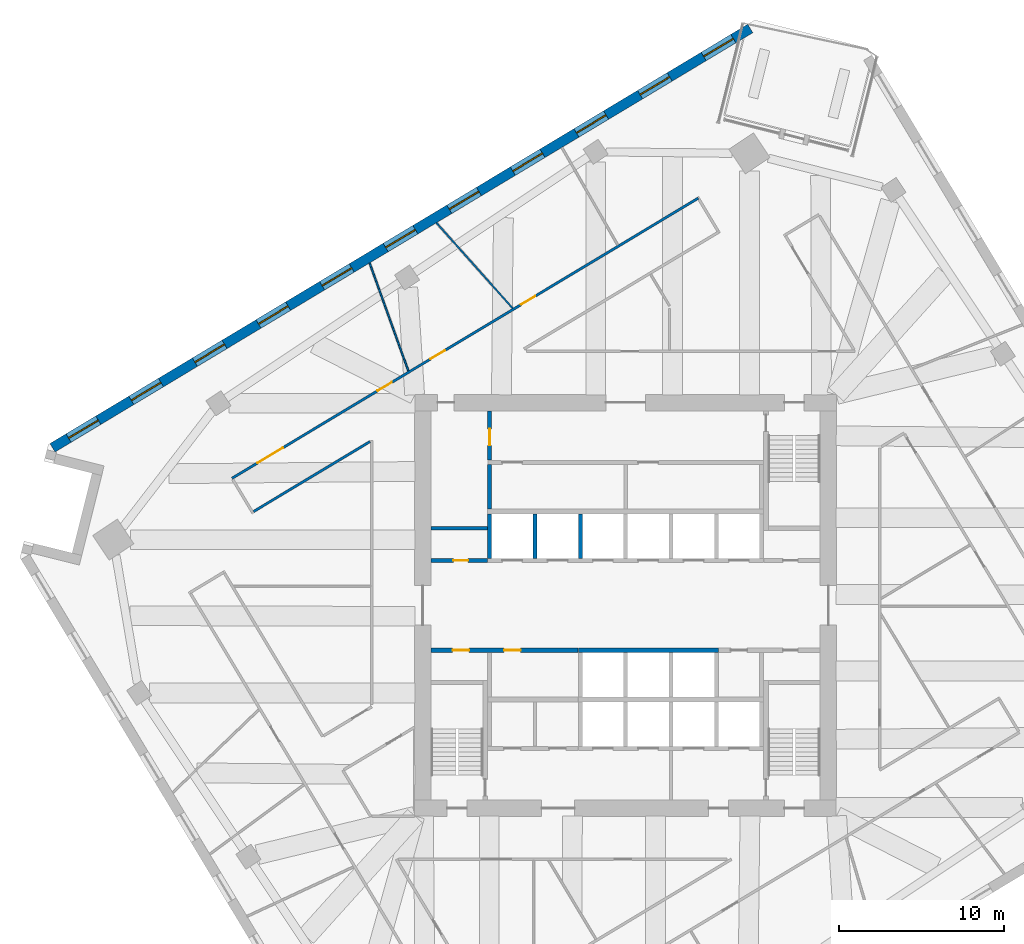
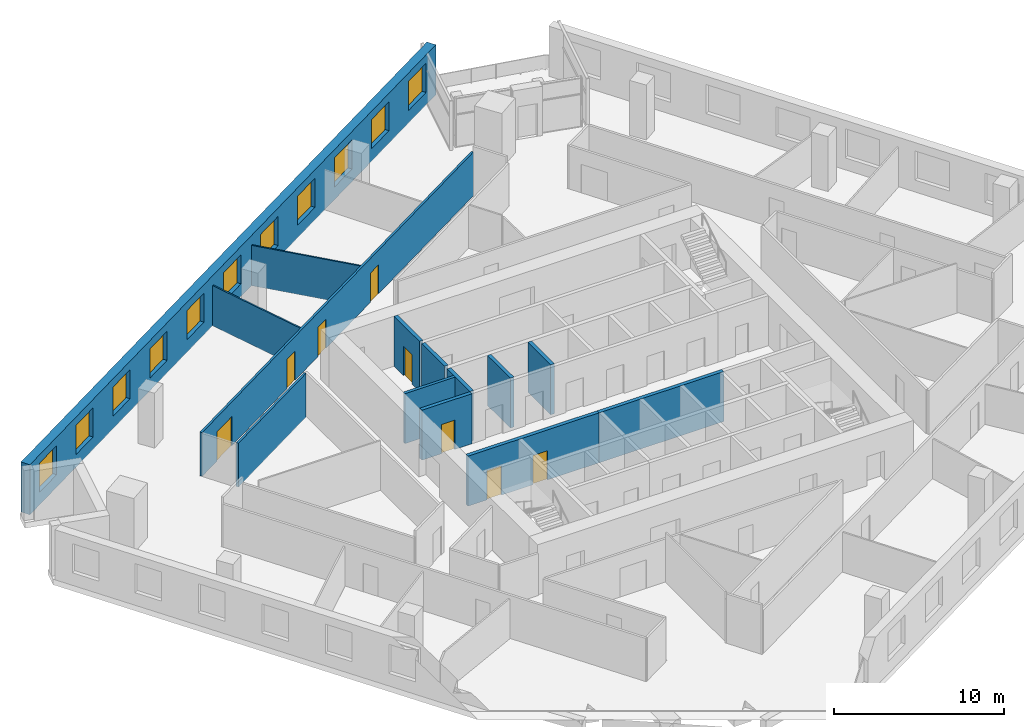
# One storey, part 8 of 14: 14 walls, 11 windows, 8 doors, 19 openings.
"""IFC4 building model written with IfcOpenShell, lengths in metres."""

from ifc_helpers import new_model, si_unit, direction, frame, frame_2d, origin, place, context, subcontext, project, spatial, rectangle, extrude, material, layer, layer_set, type_object, element, fill, save


model = new_model("IFC4")

# Units and contexts
model_context = context("Model", 3, precision=1e-05, world=origin(), true_north=direction((0.0, 1.0)))
body_context = subcontext(model_context, "Body", "Model", "MODEL_VIEW")
ifc_project = project(units=[si_unit("LENGTHUNIT", "METRE"), si_unit("AREAUNIT", "SQUARE_METRE"), si_unit("VOLUMEUNIT", "CUBIC_METRE"), si_unit("PLANEANGLEUNIT", "RADIAN"), si_unit("MASSUNIT", "GRAM", prefix="KILO")], contexts=[model_context])

# Site, building, storey
site_placement = place(None, origin())
site = spatial("IfcSite", under=ifc_project, at=site_placement, CompositionType="ELEMENT")
building_placement = place(site_placement, origin())
building = spatial("IfcBuilding", under=site, at=building_placement, Name="Dilmun Exchange Tower", CompositionType="ELEMENT")
storey_placement = place(building_placement, frame((0.0, 0.0, 151.699951171875)))
storey = spatial("IfcBuildingStorey", under=building, at=storey_placement, Name="L35", CompositionType="ELEMENT", Elevation=151.699951171875)

# Wall
ifc_material_1 = material(Name="Concrete C40/50", Category="concrete")
ifc_layer_1 = layer(ifc_material_1, 0.199951171875)
ifc_layer_set_1 = layer_set([ifc_layer_1], Name="Concrete C40/50")
wall_type_1 = type_object("IfcWallType", Name="Core partition wall 200", PredefinedType="PARTITIONING", material=ifc_layer_set_1)
wall_1_placement = place(storey_placement, frame((-11.794921875, 4.675048828125, 0.0), z_axis=(0.0, 0.0, 1.0), x_axis=(1.0, 0.0, 0.0)))
element("IfcWall", 1, at=wall_1_placement, inside=storey, type_object=wall_type_1, Name="L35 core partition wall 12", PredefinedType="PARTITIONING", context=body_context, shape_type="SweptSolid", body=[
    extrude(rectangle(XDim=3.4150390625, YDim=0.199951171875, at=frame_2d((1.70751953125, 0.0))), origin(), (0.0, 0.0, 1.0), 3.60009765625),
])

# Wall, openings, doors
ifc_layer_2 = layer(ifc_material_1, 0.25)
ifc_layer_set_2 = layer_set([ifc_layer_2], Name="Concrete C40/50")
wall_type_2 = type_object("IfcWallType", Name="Core partition wall 250", PredefinedType="PARTITIONING", material=ifc_layer_set_2)
wall_2_placement = place(storey_placement, frame((-11.794921875, -2.72509765625, 0.0), z_axis=(0.0, 0.0, 1.0), x_axis=(1.0, 0.0, 0.0)))
wall_2 = element("IfcWall", 2, at=wall_2_placement, inside=storey, type_object=wall_type_2, Name="L35 core partition wall 08", PredefinedType="PARTITIONING", context=body_context, shape_type="SweptSolid", body=[
    extrude(rectangle(XDim=8.9150390625, YDim=0.25, at=frame_2d((4.45751953125, 0.0))), origin(), (0.0, 0.0, 1.0), 3.60009765625),
])
opening_1_placement = place(wall_2_placement, frame((1.294921875, 0.0, 0.0)))
opening_1 = element("IfcOpeningElement", 3, at=opening_1_placement, cuts=wall_2, Name="Opening CD4", PredefinedType="OPENING", context=body_context, shape_type="SweptSolid", body=[
    extrude(rectangle(XDim=1.0, YDim=2.10009765625, at=frame_2d((0.5, 1.050048828125))), frame((0.0, 0.135009765625, 0.0), z_axis=(0.0, -1.0, 0.0), x_axis=(1.0, 0.0, 0.0)), (0.0, 0.0, 1.0), 0.27001953125),
])
opening_2_placement = place(wall_2_placement, frame((4.419921875, 0.0, 0.0)))
opening_2 = element("IfcOpeningElement", 4, at=opening_2_placement, cuts=wall_2, Name="Opening CD4", PredefinedType="OPENING", context=body_context, shape_type="SweptSolid", body=[
    extrude(rectangle(XDim=1.0, YDim=2.10009765625, at=frame_2d((0.5, 1.050048828125))), frame((0.0, 0.135009765625, 0.0), z_axis=(0.0, -1.0, 0.0), x_axis=(1.0, 0.0, 0.0)), (0.0, 0.0, 1.0), 0.27001953125),
])
ifc_material_2 = material(Name="Fire-rated steel door set", Category="steel")
door_type_1 = type_object("IfcDoorType", Name="Core room door 1000x2100", OperationType="SINGLE_SWING_LEFT", PredefinedType="DOOR", material=ifc_material_2)
door_1_placement = place(opening_1_placement, origin())
door_1 = element("IfcDoor", 5, at=door_1_placement, inside=storey, type_object=door_type_1, Name="L35 door Accessible WC", OperationType="SINGLE_SWING_RIGHT", OverallHeight=2.10009765625, OverallWidth=1.0, PredefinedType="DOOR", context=body_context, shape_type="SweptSolid", body=[
    extrude(rectangle(XDim=1.0, YDim=2.10009765625, at=frame_2d((0.5, 1.050048828125))), frame((0.0, 0.02490234375, 0.0), z_axis=(0.0, -1.0, 0.0), x_axis=(1.0, 0.0, 0.0)), (0.0, 0.0, 1.0), 0.050048828125),
])
fill(opening_1, door_1)
door_2_placement = place(opening_2_placement, origin())
door_2 = element("IfcDoor", 6, at=door_2_placement, inside=storey, type_object=door_type_1, Name="L35 door Switch room", OperationType="SINGLE_SWING_RIGHT", OverallHeight=2.10009765625, OverallWidth=1.0, PredefinedType="DOOR", context=body_context, shape_type="SweptSolid", body=[
    extrude(rectangle(XDim=1.0, YDim=2.10009765625, at=frame_2d((0.5, 1.050048828125))), frame((0.0, 0.02490234375, 0.0), z_axis=(0.0, -1.0, 0.0), x_axis=(1.0, 0.0, 0.0)), (0.0, 0.0, 1.0), 0.050048828125),
])
fill(opening_2, door_2)

# Wall, opening, door
wall_3_placement = place(storey_placement, frame((-11.794921875, 2.72509765625, 0.0), z_axis=(0.0, 0.0, 1.0), x_axis=(1.0, 0.0, 0.0)))
wall_3 = element("IfcWall", 7, at=wall_3_placement, inside=storey, type_object=wall_type_2, Name="L35 core partition wall 10", PredefinedType="PARTITIONING", context=body_context, shape_type="SweptSolid", body=[
    extrude(rectangle(XDim=3.4150390625, YDim=0.25, at=frame_2d((1.70751953125, 0.0))), origin(), (0.0, 0.0, 1.0), 3.60009765625),
])
opening_3_placement = place(wall_3_placement, frame((1.344970703125, 0.0, 0.0)))
opening_3 = element("IfcOpeningElement", 8, at=opening_3_placement, cuts=wall_3, Name="Opening CD6", PredefinedType="OPENING", context=body_context, shape_type="SweptSolid", body=[
    extrude(rectangle(XDim=0.89990234375, YDim=2.10009765625, at=frame_2d((0.449951171875, 1.050048828125))), frame((0.0, 0.135009765625, 0.0), z_axis=(0.0, -1.0, 0.0), x_axis=(1.0, 0.0, 0.0)), (0.0, 0.0, 1.0), 0.27001953125),
])
door_type_2 = type_object("IfcDoorType", Name="Core room door 900x2100", OperationType="SINGLE_SWING_LEFT", PredefinedType="DOOR", material=ifc_material_2)
door_3_placement = place(opening_3_placement, origin())
door_3 = element("IfcDoor", 9, at=door_3_placement, inside=storey, type_object=door_type_2, Name="L35 door Plumbing riser", OperationType="SINGLE_SWING_RIGHT", OverallHeight=2.10009765625, OverallWidth=0.89990234375, PredefinedType="DOOR", context=body_context, shape_type="SweptSolid", body=[
    extrude(rectangle(XDim=0.89990234375, YDim=2.10009765625, at=frame_2d((0.449951171875, 1.050048828125))), frame((0.0, 0.02490234375, 0.0), z_axis=(0.0, -1.0, 0.0), x_axis=(1.0, 0.0, 0.0)), (0.0, 0.0, 1.0), 0.050048828125),
])
fill(opening_3, door_3)

# Wall
wall_4_placement = place(storey_placement, frame((-8.25, 5.85498046875, 0.0), z_axis=(0.0, 0.0, 1.0), x_axis=(0.0, 1.0, 0.0)))
element("IfcWall", 10, at=wall_4_placement, inside=storey, type_object=wall_type_2, Name="L35 core partition wall 13", PredefinedType="PARTITIONING", context=body_context, shape_type="SweptSolid", body=[
    extrude(rectangle(XDim=2.68994140625, YDim=0.25, at=frame_2d((1.344970703125, 0.0))), origin(), (0.0, 0.0, 1.0), 3.60009765625),
])

# Wall, opening, door
wall_5_placement = place(storey_placement, frame((-8.25, 8.804931640625, 0.0), z_axis=(0.0, 0.0, 1.0), x_axis=(0.0, 1.0, 0.0)))
wall_5 = element("IfcWall", 11, at=wall_5_placement, inside=storey, type_object=wall_type_2, Name="L35 core partition wall 17", PredefinedType="PARTITIONING", context=body_context, shape_type="SweptSolid", body=[
    extrude(rectangle(XDim=2.989990234375, YDim=0.25, at=frame_2d((1.4951171875, 0.0))), origin(), (0.0, 0.0, 1.0), 3.60009765625),
])
opening_4_placement = place(wall_5_placement, frame((0.89501953125, 0.0, 0.0)))
opening_4 = element("IfcOpeningElement", 12, at=opening_4_placement, cuts=wall_5, Name="Opening CD4", PredefinedType="OPENING", context=body_context, shape_type="SweptSolid", body=[
    extrude(rectangle(XDim=1.0, YDim=2.10009765625, at=frame_2d((0.5, 1.050048828125))), frame((0.0, 0.135009765625, 0.0), z_axis=(0.0, -1.0, 0.0), x_axis=(1.0, 0.0, 0.0)), (0.0, 0.0, 1.0), 0.27001953125),
])
door_4_placement = place(opening_4_placement, origin())
door_4 = element("IfcDoor", 13, at=door_4_placement, inside=storey, type_object=door_type_1, Name="L35 door Building services room", OperationType="SINGLE_SWING_RIGHT", OverallHeight=2.10009765625, OverallWidth=1.0, PredefinedType="DOOR", context=body_context, shape_type="SweptSolid", body=[
    extrude(rectangle(XDim=1.0, YDim=2.10009765625, at=frame_2d((0.5, 1.050048828125))), frame((0.0, 0.02490234375, 0.0), z_axis=(0.0, -1.0, 0.0), x_axis=(1.0, 0.0, 0.0)), (0.0, 0.0, 1.0), 0.050048828125),
])
fill(opening_4, door_4)

# Wall, openings, doors
ifc_material_3 = material(Name="Corridor wall 150")
ifc_layer_3 = layer(ifc_material_3, 0.14990234375)
ifc_layer_set_3 = layer_set([ifc_layer_3], Name="Corridor wall 150")
wall_type_3 = type_object("IfcWallType", Name="Corridor wall 150", PredefinedType="PARTITIONING", material=ifc_layer_set_3)
wall_6_placement = place(storey_placement, frame((-23.8759765625, 7.70703125, 0.0), z_axis=(0.0, 0.0, 1.0), x_axis=(0.857167605318, 0.515037567943, 0.0)))
wall_6 = element("IfcWall", 14, at=wall_6_placement, inside=storey, type_object=wall_type_3, Name="Corridor wall", PredefinedType="PARTITIONING", context=body_context, shape_type="SweptSolid", body=[
    extrude(rectangle(XDim=32.99365234375, YDim=0.14990234375, at=frame_2d((16.496826171875, 0.0))), origin(), (0.0, 0.0, 1.0), 3.150146484375),
])
opening_5_placement = place(wall_6_placement, frame((1.800048828125, 0.0, 0.0)))
opening_5 = element("IfcOpeningElement", 15, at=opening_5_placement, cuts=wall_6, Name="Opening TF34-D01", PredefinedType="OPENING", context=body_context, shape_type="SweptSolid", body=[
    extrude(rectangle(XDim=1.800048828125, YDim=2.10009765625, at=frame_2d((0.89990234375, 1.050048828125))), frame((0.0, 0.0849609375, 0.0), z_axis=(0.0, -1.0, 0.0), x_axis=(1.0, 0.0, 0.0)), (0.0, 0.0, 1.0), 0.169921875),
])
opening_6_placement = place(wall_6_placement, frame((10.300048828125, 0.0, 0.0)))
opening_6 = element("IfcOpeningElement", 16, at=opening_6_placement, cuts=wall_6, Name="Opening TF34-D02", PredefinedType="OPENING", context=body_context, shape_type="SweptSolid", body=[
    extrude(rectangle(XDim=1.0, YDim=2.10009765625, at=frame_2d((0.5, 1.050048828125))), frame((0.0, 0.0849609375, 0.0), z_axis=(0.0, -1.0, 0.0), x_axis=(1.0, 0.0, 0.0)), (0.0, 0.0, 1.0), 0.169921875),
])
opening_7_placement = place(wall_6_placement, frame((14.05859375, 0.0, 0.0)))
opening_7 = element("IfcOpeningElement", 17, at=opening_7_placement, cuts=wall_6, Name="Opening TF34-D07", PredefinedType="OPENING", context=body_context, shape_type="SweptSolid", body=[
    extrude(rectangle(XDim=1.0, YDim=2.10009765625, at=frame_2d((0.5, 1.050048828125))), frame((0.0, 0.0849609375, 0.0), z_axis=(0.0, -1.0, 0.0), x_axis=(1.0, 0.0, 0.0)), (0.0, 0.0, 1.0), 0.169921875),
])
opening_8_placement = place(wall_6_placement, frame((20.458251953125, 0.0, 0.0)))
opening_8 = element("IfcOpeningElement", 18, at=opening_8_placement, cuts=wall_6, Name="Opening TF34-D10", PredefinedType="OPENING", context=body_context, shape_type="SweptSolid", body=[
    extrude(rectangle(XDim=1.0, YDim=2.10009765625, at=frame_2d((0.5, 1.050048828125))), frame((0.0, 0.0849609375, 0.0), z_axis=(0.0, -1.0, 0.0), x_axis=(1.0, 0.0, 0.0)), (0.0, 0.0, 1.0), 0.169921875),
])
ifc_material_4 = material(Name="Fire door 1000 x 2100")
door_type_3 = type_object("IfcDoorType", Name="Fire door 1000 x 2100", OperationType="NOTDEFINED", PredefinedType="DOOR", material=ifc_material_4)
door_5_placement = place(opening_6_placement, origin())
door_5 = element("IfcDoor", 19, at=door_5_placement, inside=storey, type_object=door_type_3, Name="Door TF34-D02", OperationType="SINGLE_SWING_RIGHT", OverallHeight=2.10009765625, OverallWidth=1.0, PredefinedType="DOOR", context=body_context, shape_type="SweptSolid", body=[
    extrude(rectangle(XDim=1.0, YDim=2.10009765625, at=frame_2d((0.5, 1.050048828125))), frame((0.0, 0.02490234375, 0.0), z_axis=(0.0, -1.0, 0.0), x_axis=(1.0, 0.0, 0.0)), (0.0, 0.0, 1.0), 0.050048828125),
])
fill(opening_6, door_5)
door_6_placement = place(opening_7_placement, origin())
door_6 = element("IfcDoor", 20, at=door_6_placement, inside=storey, type_object=door_type_3, Name="Door TF34-D07", OperationType="SINGLE_SWING_LEFT", OverallHeight=2.10009765625, OverallWidth=1.0, PredefinedType="DOOR", context=body_context, shape_type="SweptSolid", body=[
    extrude(rectangle(XDim=1.0, YDim=2.10009765625, at=frame_2d((0.5, 1.050048828125))), frame((0.0, 0.02490234375, 0.0), z_axis=(0.0, -1.0, 0.0), x_axis=(1.0, 0.0, 0.0)), (0.0, 0.0, 1.0), 0.050048828125),
])
fill(opening_7, door_6)
door_7_placement = place(opening_8_placement, origin())
door_7 = element("IfcDoor", 21, at=door_7_placement, inside=storey, type_object=door_type_3, Name="Door TF34-D10", OperationType="SINGLE_SWING_LEFT", OverallHeight=2.10009765625, OverallWidth=1.0, PredefinedType="DOOR", context=body_context, shape_type="SweptSolid", body=[
    extrude(rectangle(XDim=1.0, YDim=2.10009765625, at=frame_2d((0.5, 1.050048828125))), frame((0.0, 0.02490234375, 0.0), z_axis=(0.0, -1.0, 0.0), x_axis=(1.0, 0.0, 0.0)), (0.0, 0.0, 1.0), 0.050048828125),
])
fill(opening_8, door_7)
ifc_material_5 = material(Name="Fire door pair 1800 x 2100")
door_type_4 = type_object("IfcDoorType", Name="Fire door pair 1800 x 2100", OperationType="NOTDEFINED", PredefinedType="DOOR", material=ifc_material_5)
door_8_placement = place(opening_5_placement, origin())
door_8 = element("IfcDoor", 22, at=door_8_placement, inside=storey, type_object=door_type_4, Name="Door TF34-D01", OperationType="DOUBLE_DOOR_SINGLE_SWING", OverallHeight=2.10009765625, OverallWidth=1.800048828125, PredefinedType="DOOR", context=body_context, shape_type="SweptSolid", body=[
    extrude(rectangle(XDim=1.800048828125, YDim=2.10009765625, at=frame_2d((0.89990234375, 1.050048828125))), frame((0.0, 0.02490234375, 0.0), z_axis=(0.0, -1.0, 0.0), x_axis=(1.0, 0.0, 0.0)), (0.0, 0.0, 1.0), 0.050048828125),
])
fill(opening_5, door_8)

# Walls
wall_7_placement = place(storey_placement, frame((-22.57568359375, 5.6875, 0.0), z_axis=(0.0, 0.0, 1.0), x_axis=(0.857121436901, 0.515114397396, 0.0)))
element("IfcWall", 23, at=wall_7_placement, inside=storey, type_object=wall_type_3, Name="Corridor wall", PredefinedType="PARTITIONING", context=body_context, shape_type="SweptSolid", body=[
    extrude(rectangle(XDim=8.2392578125, YDim=0.14990234375, at=frame_2d((4.11962890625, 0.0))), origin(), (0.0, 0.0, 1.0), 3.150146484375),
])
ifc_layer_4 = layer(ifc_material_1, 0.25)
ifc_layer_set_4 = layer_set([ifc_layer_4], Name="Concrete C40/50")
wall_type_4 = type_object("IfcWallType", Name="Lift shaft wall 250", PredefinedType="SOLIDWALL", material=ifc_layer_set_4)
for number, where, z_axis, x_axis, name in (
    (24, (-8.25, 2.85009765625, 0.0), (0.0, 0.0, 1.0), (0.0, 1.0, 0.0), "L35 lift shaft divider N10"),
    (25, (-5.5, 2.85009765625, 0.0), (0.0, 0.0, 1.0), (0.0, 1.0, 0.0), "L35 lift shaft divider N11"),
    (26, (-2.75, 2.85009765625, 0.0), (0.0, 0.0, 1.0), (0.0, 1.0, 0.0), "L35 lift shaft divider N12"),
):
    element("IfcWall", number, at=place(storey_placement, frame(where, z_axis=z_axis, x_axis=x_axis)), inside=storey, type_object=wall_type_4, Name=name, PredefinedType="SOLIDWALL", context=body_context, shape_type="SweptSolid", body=[
        extrude(rectangle(XDim=2.699951171875, YDim=0.25, at=frame_2d((1.35009765625, 0.0))), origin(), (0.0, 0.0, 1.0), 3.60009765625),
    ])
wall_8_placement = place(storey_placement, frame((-2.875, -2.72509765625, 0.0), z_axis=(0.0, 0.0, 1.0), x_axis=(1.0, 0.0, 0.0)))
element("IfcWall", 27, at=wall_8_placement, inside=storey, type_object=wall_type_4, Name="L35 lift shaft front wall S1", PredefinedType="SOLIDWALL", context=body_context, shape_type="SweptSolid", body=[
    extrude(rectangle(XDim=8.5, YDim=0.25, at=frame_2d((4.25, 0.0))), origin(), (0.0, 0.0, 1.0), 3.60009765625),
])
ifc_material_6 = material(Name="Partition 100")
ifc_layer_5 = layer(ifc_material_6, 0.10009765625)
ifc_layer_set_5 = layer_set([ifc_layer_5], Name="Partition 100")
wall_type_5 = type_object("IfcWallType", Name="Partition 100", PredefinedType="PARTITIONING", material=ifc_layer_set_5)
wall_9_placement = place(storey_placement, frame((-15.530517578125, 20.76513671875, 0.0), z_axis=(0.0, 0.0, 1.0), x_axis=(0.338062005874, -0.941123838921, 0.0)))
element("IfcWall", 28, at=wall_9_placement, inside=storey, type_object=wall_type_5, Name="Partition", PredefinedType="PARTITIONING", context=body_context, shape_type="SweptSolid", body=[
    extrude(rectangle(XDim=6.94384765625, YDim=0.10009765625, at=frame_2d((3.471923828125, 0.0))), origin(), (0.0, 0.0, 1.0), 2.900146484375),
])
wall_10_placement = place(storey_placement, frame((-11.47705078125, 23.20068359375, 0.0), z_axis=(0.0, 0.0, 1.0), x_axis=(0.665742072215, -0.74618194382, 0.0)))
element("IfcWall", 29, at=wall_10_placement, inside=storey, type_object=wall_type_5, Name="Partition", PredefinedType="PARTITIONING", context=body_context, shape_type="SweptSolid", body=[
    extrude(rectangle(XDim=6.93212890625, YDim=0.10009765625, at=frame_2d((3.466064453125, 0.0))), origin(), (0.0, 0.0, 1.0), 2.900146484375),
])

# Wall, openings, windows
ifc_material_7 = material(Name="Precast concrete C50/60", Category="concrete")
ifc_layer_6 = layer(ifc_material_7, 0.60009765625)
ifc_layer_set_6 = layer_set([ifc_layer_6], Name="Precast concrete C50/60")
wall_type_6 = type_object("IfcWallType", Name="Precast stone-clad wall 600", PredefinedType="STANDARD", material=ifc_layer_set_6)
wall_11_placement = place(storey_placement, frame((7.55810546875, 34.990478515625, 0.0), z_axis=(0.0, 0.0, 1.0), x_axis=(-0.857166849875, -0.515038825212, 0.0)))
wall_11 = element("IfcWall", 30, at=wall_11_placement, inside=storey, type_object=wall_type_6, Name="Facade wall L35-03", PredefinedType="STANDARD", context=body_context, shape_type="SweptSolid", body=[
    extrude(rectangle(XDim=49.375732421875, YDim=0.60009765625, at=frame_2d((24.68798828125, 0.0))), origin(), (0.0, 0.0, 1.0), 3.60009765625),
])
opening_9_placement = place(wall_11_placement, frame((1.199951171875, 0.0, 0.89990234375)))
opening_9 = element("IfcOpeningElement", 31, at=opening_9_placement, cuts=wall_11, Name="Opening W210-210", PredefinedType="OPENING", context=body_context, shape_type="SweptSolid", body=[
    extrude(rectangle(XDim=2.10009765625, YDim=2.10009765625, at=frame_2d((1.050048828125, 1.050048828125))), frame((0.0, 0.31005859375, 0.0), z_axis=(0.0, -1.0, 0.0), x_axis=(1.0, 0.0, 0.0)), (0.0, 0.0, 1.0), 0.6201171875),
])
opening_10_placement = place(wall_11_placement, frame((5.699951171875, 0.0, 0.89990234375)))
opening_10 = element("IfcOpeningElement", 32, at=opening_10_placement, cuts=wall_11, Name="Opening W210-210", PredefinedType="OPENING", context=body_context, shape_type="SweptSolid", body=[
    extrude(rectangle(XDim=2.10009765625, YDim=2.10009765625, at=frame_2d((1.050048828125, 1.050048828125))), frame((0.0, 0.31005859375, 0.0), z_axis=(0.0, -1.0, 0.0), x_axis=(1.0, 0.0, 0.0)), (0.0, 0.0, 1.0), 0.6201171875),
])
opening_11_placement = place(wall_11_placement, frame((10.199951171875, 0.0, 0.89990234375)))
opening_11 = element("IfcOpeningElement", 33, at=opening_11_placement, cuts=wall_11, Name="Opening W210-210", PredefinedType="OPENING", context=body_context, shape_type="SweptSolid", body=[
    extrude(rectangle(XDim=2.10009765625, YDim=2.10009765625, at=frame_2d((1.050048828125, 1.050048828125))), frame((0.0, 0.31005859375, 0.0), z_axis=(0.0, -1.0, 0.0), x_axis=(1.0, 0.0, 0.0)), (0.0, 0.0, 1.0), 0.6201171875),
])
opening_12_placement = place(wall_11_placement, frame((14.699951171875, 0.0, 0.89990234375)))
opening_12 = element("IfcOpeningElement", 34, at=opening_12_placement, cuts=wall_11, Name="Opening W210-210", PredefinedType="OPENING", context=body_context, shape_type="SweptSolid", body=[
    extrude(rectangle(XDim=2.10009765625, YDim=2.10009765625, at=frame_2d((1.050048828125, 1.050048828125))), frame((0.0, 0.31005859375, 0.0), z_axis=(0.0, -1.0, 0.0), x_axis=(1.0, 0.0, 0.0)), (0.0, 0.0, 1.0), 0.6201171875),
])
opening_13_placement = place(wall_11_placement, frame((19.199951171875, 0.0, 0.89990234375)))
opening_13 = element("IfcOpeningElement", 35, at=opening_13_placement, cuts=wall_11, Name="Opening W210-210", PredefinedType="OPENING", context=body_context, shape_type="SweptSolid", body=[
    extrude(rectangle(XDim=2.10009765625, YDim=2.10009765625, at=frame_2d((1.050048828125, 1.050048828125))), frame((0.0, 0.31005859375, 0.0), z_axis=(0.0, -1.0, 0.0), x_axis=(1.0, 0.0, 0.0)), (0.0, 0.0, 1.0), 0.6201171875),
])
opening_14_placement = place(wall_11_placement, frame((23.699951171875, 0.0, 0.89990234375)))
opening_14 = element("IfcOpeningElement", 36, at=opening_14_placement, cuts=wall_11, Name="Opening W210-210", PredefinedType="OPENING", context=body_context, shape_type="SweptSolid", body=[
    extrude(rectangle(XDim=2.10009765625, YDim=2.10009765625, at=frame_2d((1.050048828125, 1.050048828125))), frame((0.0, 0.31005859375, 0.0), z_axis=(0.0, -1.0, 0.0), x_axis=(1.0, 0.0, 0.0)), (0.0, 0.0, 1.0), 0.6201171875),
])
opening_15_placement = place(wall_11_placement, frame((28.199951171875, 0.0, 0.89990234375)))
opening_15 = element("IfcOpeningElement", 37, at=opening_15_placement, cuts=wall_11, Name="Opening W210-210", PredefinedType="OPENING", context=body_context, shape_type="SweptSolid", body=[
    extrude(rectangle(XDim=2.10009765625, YDim=2.10009765625, at=frame_2d((1.050048828125, 1.050048828125))), frame((0.0, 0.31005859375, 0.0), z_axis=(0.0, -1.0, 0.0), x_axis=(1.0, 0.0, 0.0)), (0.0, 0.0, 1.0), 0.6201171875),
])
opening_16_placement = place(wall_11_placement, frame((32.699951171875, 0.0, 0.89990234375)))
opening_16 = element("IfcOpeningElement", 38, at=opening_16_placement, cuts=wall_11, Name="Opening W210-210", PredefinedType="OPENING", context=body_context, shape_type="SweptSolid", body=[
    extrude(rectangle(XDim=2.10009765625, YDim=2.10009765625, at=frame_2d((1.050048828125, 1.050048828125))), frame((0.0, 0.31005859375, 0.0), z_axis=(0.0, -1.0, 0.0), x_axis=(1.0, 0.0, 0.0)), (0.0, 0.0, 1.0), 0.6201171875),
])
opening_17_placement = place(wall_11_placement, frame((37.199951171875, 0.0, 0.89990234375)))
opening_17 = element("IfcOpeningElement", 39, at=opening_17_placement, cuts=wall_11, Name="Opening W210-210", PredefinedType="OPENING", context=body_context, shape_type="SweptSolid", body=[
    extrude(rectangle(XDim=2.10009765625, YDim=2.10009765625, at=frame_2d((1.050048828125, 1.050048828125))), frame((0.0, 0.31005859375, 0.0), z_axis=(0.0, -1.0, 0.0), x_axis=(1.0, 0.0, 0.0)), (0.0, 0.0, 1.0), 0.6201171875),
])
opening_18_placement = place(wall_11_placement, frame((41.699951171875, 0.0, 0.89990234375)))
opening_18 = element("IfcOpeningElement", 40, at=opening_18_placement, cuts=wall_11, Name="Opening W210-210", PredefinedType="OPENING", context=body_context, shape_type="SweptSolid", body=[
    extrude(rectangle(XDim=2.10009765625, YDim=2.10009765625, at=frame_2d((1.050048828125, 1.050048828125))), frame((0.0, 0.31005859375, 0.0), z_axis=(0.0, -1.0, 0.0), x_axis=(1.0, 0.0, 0.0)), (0.0, 0.0, 1.0), 0.6201171875),
])
opening_19_placement = place(wall_11_placement, frame((46.137939453125, 0.0, 0.89990234375)))
opening_19 = element("IfcOpeningElement", 41, at=opening_19_placement, cuts=wall_11, Name="Opening W210-210", PredefinedType="OPENING", context=body_context, shape_type="SweptSolid", body=[
    extrude(rectangle(XDim=2.10009765625, YDim=2.10009765625, at=frame_2d((1.050048828125, 1.050048828125))), frame((0.0, 0.31005859375, 0.0), z_axis=(0.0, -1.0, 0.0), x_axis=(1.0, 0.0, 0.0)), (0.0, 0.0, 1.0), 0.6201171875),
])
ifc_material_8 = material(Name="Clear low-emissivity glass in aluminium frame", Category="aluminium")
window_type = type_object("IfcWindowType", Name="Punched window 2100 x 2100", PartitioningType="DOUBLE_PANEL_VERTICAL", PredefinedType="WINDOW", material=ifc_material_8)
window_1_placement = place(opening_9_placement, origin())
window_1 = element("IfcWindow", 42, at=window_1_placement, inside=storey, type_object=window_type, Name="Window 4.1", OverallHeight=2.10009765625, OverallWidth=2.10009765625, PartitioningType="SINGLE_PANEL", PredefinedType="WINDOW", context=body_context, shape_type="SweptSolid", body=[
    extrude(rectangle(XDim=2.10009765625, YDim=2.10009765625, at=frame_2d((1.050048828125, 1.050048828125))), frame((0.0, 0.030029296875, 0.0), z_axis=(0.0, -1.0, 0.0), x_axis=(1.0, 0.0, 0.0)), (0.0, 0.0, 1.0), 0.06005859375),
])
fill(opening_9, window_1)
window_2_placement = place(opening_10_placement, origin())
window_2 = element("IfcWindow", 43, at=window_2_placement, inside=storey, type_object=window_type, Name="Window 4.2", OverallHeight=2.10009765625, OverallWidth=2.10009765625, PartitioningType="SINGLE_PANEL", PredefinedType="WINDOW", context=body_context, shape_type="SweptSolid", body=[
    extrude(rectangle(XDim=2.10009765625, YDim=2.10009765625, at=frame_2d((1.050048828125, 1.050048828125))), frame((0.0, 0.030029296875, 0.0), z_axis=(0.0, -1.0, 0.0), x_axis=(1.0, 0.0, 0.0)), (0.0, 0.0, 1.0), 0.06005859375),
])
fill(opening_10, window_2)
window_3_placement = place(opening_11_placement, origin())
window_3 = element("IfcWindow", 44, at=window_3_placement, inside=storey, type_object=window_type, Name="Window 4.3", OverallHeight=2.10009765625, OverallWidth=2.10009765625, PartitioningType="SINGLE_PANEL", PredefinedType="WINDOW", context=body_context, shape_type="SweptSolid", body=[
    extrude(rectangle(XDim=2.10009765625, YDim=2.10009765625, at=frame_2d((1.050048828125, 1.050048828125))), frame((0.0, 0.030029296875, 0.0), z_axis=(0.0, -1.0, 0.0), x_axis=(1.0, 0.0, 0.0)), (0.0, 0.0, 1.0), 0.06005859375),
])
fill(opening_11, window_3)
window_4_placement = place(opening_12_placement, origin())
window_4 = element("IfcWindow", 45, at=window_4_placement, inside=storey, type_object=window_type, Name="Window 4.4", OverallHeight=2.10009765625, OverallWidth=2.10009765625, PartitioningType="SINGLE_PANEL", PredefinedType="WINDOW", context=body_context, shape_type="SweptSolid", body=[
    extrude(rectangle(XDim=2.10009765625, YDim=2.10009765625, at=frame_2d((1.050048828125, 1.050048828125))), frame((0.0, 0.030029296875, 0.0), z_axis=(0.0, -1.0, 0.0), x_axis=(1.0, 0.0, 0.0)), (0.0, 0.0, 1.0), 0.06005859375),
])
fill(opening_12, window_4)
window_5_placement = place(opening_13_placement, origin())
window_5 = element("IfcWindow", 46, at=window_5_placement, inside=storey, type_object=window_type, Name="Window 4.5", OverallHeight=2.10009765625, OverallWidth=2.10009765625, PartitioningType="SINGLE_PANEL", PredefinedType="WINDOW", context=body_context, shape_type="SweptSolid", body=[
    extrude(rectangle(XDim=2.10009765625, YDim=2.10009765625, at=frame_2d((1.050048828125, 1.050048828125))), frame((0.0, 0.030029296875, 0.0), z_axis=(0.0, -1.0, 0.0), x_axis=(1.0, 0.0, 0.0)), (0.0, 0.0, 1.0), 0.06005859375),
])
fill(opening_13, window_5)
window_6_placement = place(opening_14_placement, origin())
window_6 = element("IfcWindow", 47, at=window_6_placement, inside=storey, type_object=window_type, Name="Window 4.6", OverallHeight=2.10009765625, OverallWidth=2.10009765625, PartitioningType="SINGLE_PANEL", PredefinedType="WINDOW", context=body_context, shape_type="SweptSolid", body=[
    extrude(rectangle(XDim=2.10009765625, YDim=2.10009765625, at=frame_2d((1.050048828125, 1.050048828125))), frame((0.0, 0.030029296875, 0.0), z_axis=(0.0, -1.0, 0.0), x_axis=(1.0, 0.0, 0.0)), (0.0, 0.0, 1.0), 0.06005859375),
])
fill(opening_14, window_6)
window_7_placement = place(opening_15_placement, origin())
window_7 = element("IfcWindow", 48, at=window_7_placement, inside=storey, type_object=window_type, Name="Window 4.7", OverallHeight=2.10009765625, OverallWidth=2.10009765625, PartitioningType="SINGLE_PANEL", PredefinedType="WINDOW", context=body_context, shape_type="SweptSolid", body=[
    extrude(rectangle(XDim=2.10009765625, YDim=2.10009765625, at=frame_2d((1.050048828125, 1.050048828125))), frame((0.0, 0.030029296875, 0.0), z_axis=(0.0, -1.0, 0.0), x_axis=(1.0, 0.0, 0.0)), (0.0, 0.0, 1.0), 0.06005859375),
])
fill(opening_15, window_7)
window_8_placement = place(opening_16_placement, origin())
window_8 = element("IfcWindow", 49, at=window_8_placement, inside=storey, type_object=window_type, Name="Window 4.8", OverallHeight=2.10009765625, OverallWidth=2.10009765625, PartitioningType="SINGLE_PANEL", PredefinedType="WINDOW", context=body_context, shape_type="SweptSolid", body=[
    extrude(rectangle(XDim=2.10009765625, YDim=2.10009765625, at=frame_2d((1.050048828125, 1.050048828125))), frame((0.0, 0.030029296875, 0.0), z_axis=(0.0, -1.0, 0.0), x_axis=(1.0, 0.0, 0.0)), (0.0, 0.0, 1.0), 0.06005859375),
])
fill(opening_16, window_8)
window_9_placement = place(opening_17_placement, origin())
window_9 = element("IfcWindow", 50, at=window_9_placement, inside=storey, type_object=window_type, Name="Window 4.9", OverallHeight=2.10009765625, OverallWidth=2.10009765625, PartitioningType="SINGLE_PANEL", PredefinedType="WINDOW", context=body_context, shape_type="SweptSolid", body=[
    extrude(rectangle(XDim=2.10009765625, YDim=2.10009765625, at=frame_2d((1.050048828125, 1.050048828125))), frame((0.0, 0.030029296875, 0.0), z_axis=(0.0, -1.0, 0.0), x_axis=(1.0, 0.0, 0.0)), (0.0, 0.0, 1.0), 0.06005859375),
])
fill(opening_17, window_9)
window_10_placement = place(opening_18_placement, origin())
window_10 = element("IfcWindow", 51, at=window_10_placement, inside=storey, type_object=window_type, Name="Window 4.10", OverallHeight=2.10009765625, OverallWidth=2.10009765625, PartitioningType="SINGLE_PANEL", PredefinedType="WINDOW", context=body_context, shape_type="SweptSolid", body=[
    extrude(rectangle(XDim=2.10009765625, YDim=2.10009765625, at=frame_2d((1.050048828125, 1.050048828125))), frame((0.0, 0.030029296875, 0.0), z_axis=(0.0, -1.0, 0.0), x_axis=(1.0, 0.0, 0.0)), (0.0, 0.0, 1.0), 0.06005859375),
])
fill(opening_18, window_10)
window_11_placement = place(opening_19_placement, origin())
window_11 = element("IfcWindow", 52, at=window_11_placement, inside=storey, type_object=window_type, Name="Window 4.11", OverallHeight=2.10009765625, OverallWidth=2.10009765625, PartitioningType="SINGLE_PANEL", PredefinedType="WINDOW", context=body_context, shape_type="SweptSolid", body=[
    extrude(rectangle(XDim=2.10009765625, YDim=2.10009765625, at=frame_2d((1.050048828125, 1.050048828125))), frame((0.0, 0.030029296875, 0.0), z_axis=(0.0, -1.0, 0.0), x_axis=(1.0, 0.0, 0.0)), (0.0, 0.0, 1.0), 0.06005859375),
])
fill(opening_19, window_11)

save(model, "model.ifc")
